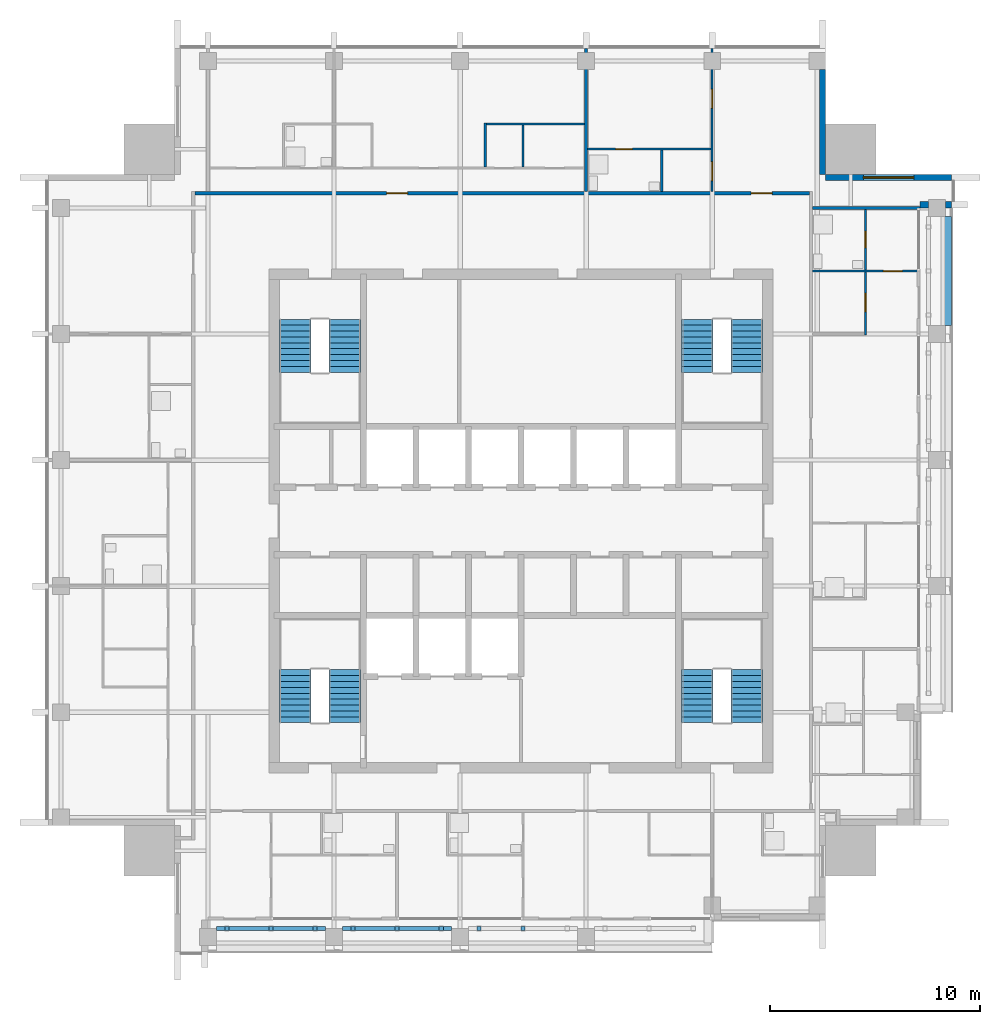
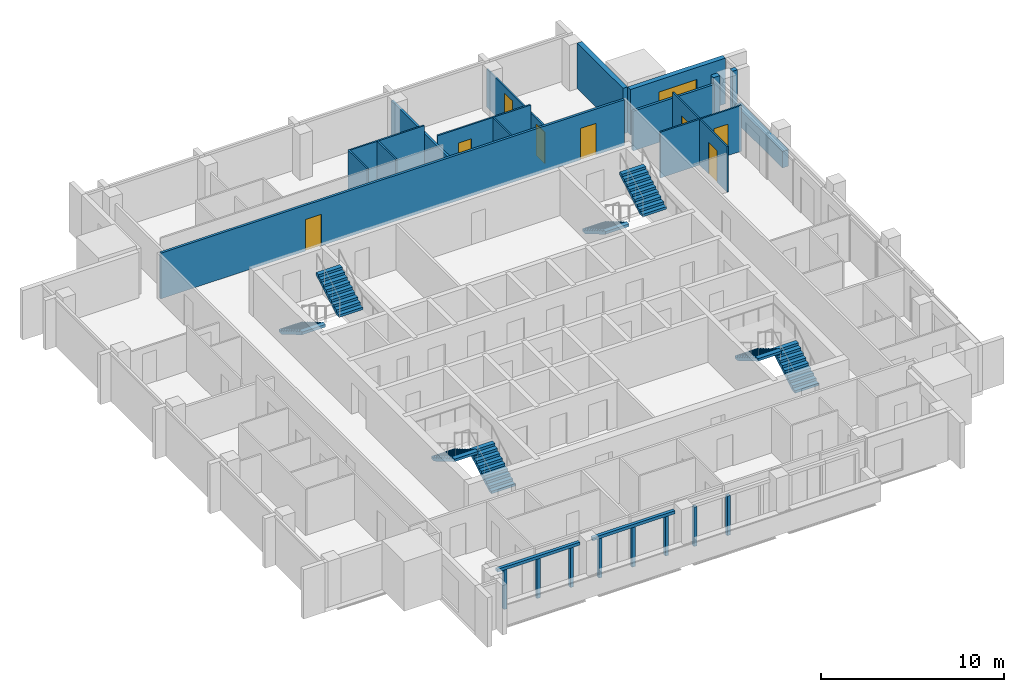
# One storey, part 11 of 15: 16 walls, 10 discrete accessories, 8 doors, 8 stair flights, 1 window, 9 openings, 4 elements without a shape of their own.
"""IFC4 building model written with IfcOpenShell, lengths in metres."""

from ifc_helpers import new_model, si_unit, direction, frame, frame_2d, origin, origin_2d, place, context, subcontext, project, spatial, polyline, rectangle, outline, extrude, material, layer, layer_set, type_object, element, fill, aggregate, save


model = new_model("IFC4")

# Units and contexts
model_context = context("Model", 3, precision=1e-05, world=origin(), true_north=direction((0.0, 1.0)))
body_context = subcontext(model_context, "Body", "Model", "MODEL_VIEW")
ifc_project = project(units=[si_unit("LENGTHUNIT", "METRE"), si_unit("AREAUNIT", "SQUARE_METRE"), si_unit("VOLUMEUNIT", "CUBIC_METRE"), si_unit("PLANEANGLEUNIT", "RADIAN"), si_unit("MASSUNIT", "GRAM", prefix="KILO")], contexts=[model_context])

# Site, building, storey
site_placement = place(None, origin())
site = spatial("IfcSite", under=ifc_project, at=site_placement, CompositionType="ELEMENT")
building_placement = place(site_placement, origin())
building = spatial("IfcBuilding", under=site, at=building_placement, Name="Amberfall Residences", CompositionType="ELEMENT")
storey_placement = place(building_placement, frame((0.0, 0.0, 268.60009765625)))
storey = spatial("IfcBuildingStorey", under=building, at=storey_placement, Name="L72", CompositionType="ELEMENT", Elevation=268.60009765625)

# Walls
ifc_material_1 = material(Name="Pale stone cladding on insulated backing", Category="masonry")
ifc_layer_1 = layer(ifc_material_1, 0.300048828125)
ifc_layer_set_1 = layer_set([ifc_layer_1], Name="Bronze clad wall 300")
wall_type_1 = type_object("IfcWallType", Name="Bronze clad wall 300", PredefinedType="SOLIDWALL", material=ifc_layer_set_1)
wall_1_placement = place(storey_placement, frame((93.5, 60.550048828125, 0.0), z_axis=(0.0, 0.0, 1.0), x_axis=(1.0, 0.0, 0.0)))
element("IfcWall", 1, at=wall_1_placement, inside=storey, type_object=wall_type_1, Name="External wall L72 E", PredefinedType="SOLIDWALL", context=body_context, shape_type="SweptSolid", body=[
    extrude(rectangle(XDim=0.39990234375, YDim=0.300048828125, at=frame_2d((0.199951171875, 0.0))), origin(), (0.0, 0.0, 1.0), 3.0498046875),
])
wall_2_placement = place(storey_placement, frame((94.699951171875, 60.550048828125, 0.0), z_axis=(0.0, 0.0, 1.0), x_axis=(1.0, 0.0, 0.0)))
element("IfcWall", 2, at=wall_2_placement, inside=storey, type_object=wall_type_1, Name="External wall L72 E", PredefinedType="SOLIDWALL", context=body_context, shape_type="SweptSolid", body=[
    extrude(rectangle(XDim=0.300048828125, YDim=0.300048828125, at=frame_2d((0.14990234375, 0.0))), origin(), (0.0, 0.0, 1.0), 3.0498046875),
])

# Wall, opening, window
wall_3_placement = place(storey_placement, frame((95.0, 61.85009765625, 0.0), z_axis=(0.0, 0.0, 1.0), x_axis=(-1.0, 0.0, 0.0)))
wall_3 = element("IfcWall", 3, at=wall_3_placement, inside=storey, type_object=wall_type_1, Name="External wall L72 NE", PredefinedType="SOLIDWALL", context=body_context, shape_type="SweptSolid", body=[
    extrude(rectangle(XDim=6.0, YDim=0.300048828125, at=frame_2d((3.0, 0.0))), origin(), (0.0, 0.0, 1.0), 3.0498046875),
])
opening_1_placement = place(wall_3_placement, frame((1.800048828125, 0.0, 0.14990234375)))
opening_1 = element("IfcOpeningElement", 4, at=opening_1_placement, cuts=wall_3, Name="Opening WN5", PredefinedType="OPENING", context=body_context, shape_type="SweptSolid", body=[
    extrude(rectangle(XDim=2.39990234375, YDim=2.10009765625, at=frame_2d((1.199951171875, 1.050048828125))), frame((0.0, 0.159912109375, 0.0), z_axis=(0.0, -1.0, 0.0), x_axis=(1.0, 0.0, 0.0)), (0.0, 0.0, 1.0), 0.320068359375),
])
ifc_material_2 = material(Name="Bronze aluminium framed glazing", Category="aluminium")
window_type = type_object("IfcWindowType", Name="Glazed opening 2400 x 2100 bronze", PartitioningType="DOUBLE_PANEL_VERTICAL", PredefinedType="WINDOW", material=ifc_material_2)
window_placement = place(opening_1_placement, origin())
window = element("IfcWindow", 5, at=window_placement, inside=storey, type_object=window_type, Name="Window L72 NE", OverallHeight=2.10009765625, OverallWidth=2.39990234375, PartitioningType="DOUBLE_PANEL_VERTICAL", PredefinedType="WINDOW", context=body_context, shape_type="SweptSolid", body=[
    extrude(rectangle(XDim=2.39990234375, YDim=2.10009765625, at=frame_2d((1.199951171875, 1.050048828125))), frame((0.0, 0.030029296875, 0.0), z_axis=(0.0, -1.0, 0.0), x_axis=(1.0, 0.0, 0.0)), (0.0, 0.0, 1.0), 0.06005859375),
])
fill(opening_1, window)

# Walls
wall_4_placement = place(storey_placement, frame((88.85009765625, 62.0, 0.0), z_axis=(0.0, 0.0, 1.0), x_axis=(0.0, 1.0, 0.0)))
element("IfcWall", 6, at=wall_4_placement, inside=storey, type_object=wall_type_1, Name="External wall L72 NE", PredefinedType="SOLIDWALL", context=body_context, shape_type="SweptSolid", body=[
    extrude(rectangle(XDim=5.0, YDim=0.300048828125, at=frame_2d((2.5, 0.0))), origin(), (0.0, 0.0, 1.0), 3.0498046875),
])
ifc_material_3 = material(Name="Gypsum board on metal stud")
ifc_layer_2 = layer(ifc_material_3, 0.10009765625)
ifc_layer_set_2 = layer_set([ifc_layer_2], Name="Flat partition 100")
wall_type_2 = type_object("IfcWallType", Name="Flat partition 100", PredefinedType="PARTITIONING", material=ifc_layer_set_2)
wall_5_placement = place(storey_placement, frame((72.800048828125, 62.35009765625, 0.0), z_axis=(0.0, 0.0, 1.0), x_axis=(0.0, 1.0, 0.0)))
element("IfcWall", 7, at=wall_5_placement, inside=storey, type_object=wall_type_2, Name="Partition 010", PredefinedType="PARTITIONING", context=body_context, shape_type="SweptSolid", body=[
    extrude(rectangle(XDim=2.099853515625, YDim=0.10009765625, at=frame_2d((1.0498046875, 0.0))), origin(), (0.0, 0.0, 1.0), 3.0498046875),
])
wall_6_placement = place(storey_placement, frame((74.60009765625, 62.35009765625, 0.0), z_axis=(0.0, 0.0, 1.0), x_axis=(0.0, 1.0, 0.0)))
element("IfcWall", 8, at=wall_6_placement, inside=storey, type_object=wall_type_2, Name="Partition 012", PredefinedType="PARTITIONING", context=body_context, shape_type="SweptSolid", body=[
    extrude(rectangle(XDim=2.0, YDim=0.10009765625, at=frame_2d((1.0, 0.0))), origin(), (0.0, 0.0, 1.0), 3.0498046875),
])
wall_7_placement = place(storey_placement, frame((81.199951171875, 61.175048828125, 0.0), z_axis=(0.0, 0.0, 1.0), x_axis=(0.0, 1.0, 0.0)))
element("IfcWall", 9, at=wall_7_placement, inside=storey, type_object=wall_type_2, Name="Partition 014", PredefinedType="PARTITIONING", context=body_context, shape_type="SweptSolid", body=[
    extrude(rectangle(XDim=1.974853515625, YDim=0.10009765625, at=frame_2d((0.9873046875, 0.0))), origin(), (0.0, 0.0, 1.0), 3.0498046875),
])

# Wall, openings, doors
wall_8_placement = place(storey_placement, frame((83.60009765625, 61.175048828125, 0.0), z_axis=(0.0, 0.0, 1.0), x_axis=(0.0, 1.0, 0.0)))
wall_8 = element("IfcWall", 10, at=wall_8_placement, inside=storey, type_object=wall_type_2, Name="Partition 016", PredefinedType="PARTITIONING", context=body_context, shape_type="SweptSolid", body=[
    extrude(rectangle(XDim=6.824951171875, YDim=0.10009765625, at=frame_2d((3.41259765625, 0.0))), origin(), (0.0, 0.0, 1.0), 2.515869140625),
])
opening_2_placement = place(wall_8_placement, frame((0.52490234375, 0.0, 0.0)))
opening_2 = element("IfcOpeningElement", 11, at=opening_2_placement, cuts=wall_8, Name="Opening D41", PredefinedType="OPENING", context=body_context, shape_type="SweptSolid", body=[
    extrude(rectangle(XDim=0.89990234375, YDim=2.10009765625, at=frame_2d((0.449951171875, 1.050048828125))), frame((0.0, 0.06005859375, 0.0), z_axis=(0.0, -1.0, 0.0), x_axis=(1.0, 0.0, 0.0)), (0.0, 0.0, 1.0), 0.1201171875),
])
opening_3_placement = place(wall_8_placement, frame((3.97509765625, 0.0, 0.0)))
opening_3 = element("IfcOpeningElement", 12, at=opening_3_placement, cuts=wall_8, Name="Opening D41", PredefinedType="OPENING", context=body_context, shape_type="SweptSolid", body=[
    extrude(rectangle(XDim=0.89990234375, YDim=2.10009765625, at=frame_2d((0.449951171875, 1.050048828125))), frame((0.0, 0.06005859375, 0.0), z_axis=(0.0, -1.0, 0.0), x_axis=(1.0, 0.0, 0.0)), (0.0, 0.0, 1.0), 0.1201171875),
])
ifc_material_4 = material(Name="Timber", Category="wood")
door_type_1 = type_object("IfcDoorType", Name="Internal door 900 x 2100", OperationType="SINGLE_SWING_LEFT", PredefinedType="DOOR", material=ifc_material_4)
door_1_placement = place(opening_2_placement, origin())
door_1 = element("IfcDoor", 13, at=door_1_placement, inside=storey, type_object=door_type_1, Name="Door 7206 kitchen", OperationType="SINGLE_SWING_LEFT", OverallHeight=2.10009765625, OverallWidth=0.89990234375, PredefinedType="DOOR", context=body_context, shape_type="SweptSolid", body=[
    extrude(rectangle(XDim=0.89990234375, YDim=2.10009765625, at=frame_2d((0.449951171875, 1.050048828125))), frame((0.0, 0.02490234375, 0.0), z_axis=(0.0, -1.0, 0.0), x_axis=(1.0, 0.0, 0.0)), (0.0, 0.0, 1.0), 0.050048828125),
])
fill(opening_2, door_1)
door_2_placement = place(opening_3_placement, origin())
door_2 = element("IfcDoor", 14, at=door_2_placement, inside=storey, type_object=door_type_1, Name="Door 7206 bedroom1", OperationType="SINGLE_SWING_LEFT", OverallHeight=2.10009765625, OverallWidth=0.89990234375, PredefinedType="DOOR", context=body_context, shape_type="SweptSolid", body=[
    extrude(rectangle(XDim=0.89990234375, YDim=2.10009765625, at=frame_2d((0.449951171875, 1.050048828125))), frame((0.0, 0.02490234375, 0.0), z_axis=(0.0, -1.0, 0.0), x_axis=(1.0, 0.0, 0.0)), (0.0, 0.0, 1.0), 0.050048828125),
])
fill(opening_3, door_2)

wall_9_placement = place(storey_placement, frame((90.89990234375, 54.35009765625, 0.0), z_axis=(0.0, 0.0, 1.0), x_axis=(0.0, 1.0, 0.0)))
wall_9 = element("IfcWall", 15, at=wall_9_placement, inside=storey, type_object=wall_type_2, Name="Partition 020", PredefinedType="PARTITIONING", context=body_context, shape_type="SweptSolid", body=[
    extrude(rectangle(XDim=5.974853515625, YDim=0.10009765625, at=frame_2d((2.9873046875, 0.0))), origin(), (0.0, 0.0, 1.0), 3.0498046875),
])
opening_4_placement = place(wall_9_placement, frame((1.10009765625, 0.0, 0.0)))
opening_4 = element("IfcOpeningElement", 16, at=opening_4_placement, cuts=wall_9, Name="Opening D41", PredefinedType="OPENING", context=body_context, shape_type="SweptSolid", body=[
    extrude(rectangle(XDim=0.89990234375, YDim=2.10009765625, at=frame_2d((0.449951171875, 1.050048828125))), frame((0.0, 0.06005859375, 0.0), z_axis=(0.0, -1.0, 0.0), x_axis=(1.0, 0.0, 0.0)), (0.0, 0.0, 1.0), 0.1201171875),
])
opening_5_placement = place(wall_9_placement, frame((4.14990234375, 0.0, 0.0)))
opening_5 = element("IfcOpeningElement", 17, at=opening_5_placement, cuts=wall_9, Name="Opening D42", PredefinedType="OPENING", context=body_context, shape_type="SweptSolid", body=[
    extrude(rectangle(XDim=0.800048828125, YDim=2.10009765625, at=frame_2d((0.39990234375, 1.050048828125))), frame((0.0, 0.06005859375, 0.0), z_axis=(0.0, -1.0, 0.0), x_axis=(1.0, 0.0, 0.0)), (0.0, 0.0, 1.0), 0.1201171875),
])
door_type_2 = type_object("IfcDoorType", Name="Bathroom door 800 x 2100", OperationType="SINGLE_SWING_LEFT", PredefinedType="DOOR", material=ifc_material_4)
door_3_placement = place(opening_5_placement, origin())
door_3 = element("IfcDoor", 18, at=door_3_placement, inside=storey, type_object=door_type_2, Name="Door 7204 bath2", OperationType="SINGLE_SWING_LEFT", OverallHeight=2.10009765625, OverallWidth=0.800048828125, PredefinedType="DOOR", context=body_context, shape_type="SweptSolid", body=[
    extrude(rectangle(XDim=0.800048828125, YDim=2.10009765625, at=frame_2d((0.39990234375, 1.050048828125))), frame((0.0, 0.02490234375, 0.0), z_axis=(0.0, -1.0, 0.0), x_axis=(1.0, 0.0, 0.0)), (0.0, 0.0, 1.0), 0.050048828125),
])
fill(opening_5, door_3)
door_4_placement = place(opening_4_placement, origin())
door_4 = element("IfcDoor", 19, at=door_4_placement, inside=storey, type_object=door_type_1, Name="Door 7204 kitchen", OperationType="SINGLE_SWING_LEFT", OverallHeight=2.10009765625, OverallWidth=0.89990234375, PredefinedType="DOOR", context=body_context, shape_type="SweptSolid", body=[
    extrude(rectangle(XDim=0.89990234375, YDim=2.10009765625, at=frame_2d((0.449951171875, 1.050048828125))), frame((0.0, 0.02490234375, 0.0), z_axis=(0.0, -1.0, 0.0), x_axis=(1.0, 0.0, 0.0)), (0.0, 0.0, 1.0), 0.050048828125),
])
fill(opening_4, door_4)

# Wall
wall_10_placement = place(storey_placement, frame((72.85009765625, 64.39990234375, 0.0), z_axis=(0.0, 0.0, 1.0), x_axis=(1.0, 0.0, 0.0)))
element("IfcWall", 20, at=wall_10_placement, inside=storey, type_object=wall_type_2, Name="Partition 022", PredefinedType="PARTITIONING", context=body_context, shape_type="SweptSolid", body=[
    extrude(rectangle(XDim=4.6748046875, YDim=0.10009765625, at=frame_2d((2.33740234375, 0.0))), origin(), (0.0, 0.0, 1.0), 3.0498046875),
])

# Wall, opening, door
wall_11_placement = place(storey_placement, frame((83.550048828125, 63.199951171875, 0.0), z_axis=(0.0, 0.0, 1.0), x_axis=(-1.0, 0.0, 0.0)))
wall_11 = element("IfcWall", 21, at=wall_11_placement, inside=storey, type_object=wall_type_2, Name="Partition 023", PredefinedType="PARTITIONING", context=body_context, shape_type="SweptSolid", body=[
    extrude(rectangle(XDim=5.875, YDim=0.10009765625, at=frame_2d((2.9375, 0.0))), origin(), (0.0, 0.0, 1.0), 3.0498046875),
])
opening_6_placement = place(wall_11_placement, frame((3.75, 0.0, 0.0)))
opening_6 = element("IfcOpeningElement", 22, at=opening_6_placement, cuts=wall_11, Name="Opening D42", PredefinedType="OPENING", context=body_context, shape_type="SweptSolid", body=[
    extrude(rectangle(XDim=0.800048828125, YDim=2.10009765625, at=frame_2d((0.39990234375, 1.050048828125))), frame((0.0, 0.06005859375, 0.0), z_axis=(0.0, -1.0, 0.0), x_axis=(1.0, 0.0, 0.0)), (0.0, 0.0, 1.0), 0.1201171875),
])
door_5_placement = place(opening_6_placement, origin())
door_5 = element("IfcDoor", 23, at=door_5_placement, inside=storey, type_object=door_type_2, Name="Door 7206 bath1", OperationType="SINGLE_SWING_LEFT", OverallHeight=2.10009765625, OverallWidth=0.800048828125, PredefinedType="DOOR", context=body_context, shape_type="SweptSolid", body=[
    extrude(rectangle(XDim=0.800048828125, YDim=2.10009765625, at=frame_2d((0.39990234375, 1.050048828125))), frame((0.0, 0.02490234375, 0.0), z_axis=(0.0, -1.0, 0.0), x_axis=(1.0, 0.0, 0.0)), (0.0, 0.0, 1.0), 0.050048828125),
])
fill(opening_6, door_5)

wall_12_placement = place(storey_placement, frame((88.375, 57.39990234375, 0.0), z_axis=(0.0, 0.0, 1.0), x_axis=(1.0, 0.0, 0.0)))
wall_12 = element("IfcWall", 24, at=wall_12_placement, inside=storey, type_object=wall_type_2, Name="Partition 025", PredefinedType="PARTITIONING", context=body_context, shape_type="SweptSolid", body=[
    extrude(rectangle(XDim=5.125, YDim=0.10009765625, at=frame_2d((2.5625, 0.0))), origin(), (0.0, 0.0, 1.0), 3.0498046875),
])
opening_7_placement = place(wall_12_placement, frame((3.375, 0.0, 0.0)))
opening_7 = element("IfcOpeningElement", 25, at=opening_7_placement, cuts=wall_12, Name="Opening D41", PredefinedType="OPENING", context=body_context, shape_type="SweptSolid", body=[
    extrude(rectangle(XDim=0.89990234375, YDim=2.10009765625, at=frame_2d((0.449951171875, 1.050048828125))), frame((0.0, 0.06005859375, 0.0), z_axis=(0.0, -1.0, 0.0), x_axis=(1.0, 0.0, 0.0)), (0.0, 0.0, 1.0), 0.1201171875),
])
door_6_placement = place(opening_7_placement, origin())
door_6 = element("IfcDoor", 26, at=door_6_placement, inside=storey, type_object=door_type_1, Name="Door 7204 bedroom2", OperationType="SINGLE_SWING_LEFT", OverallHeight=2.10009765625, OverallWidth=0.89990234375, PredefinedType="DOOR", context=body_context, shape_type="SweptSolid", body=[
    extrude(rectangle(XDim=0.89990234375, YDim=2.10009765625, at=frame_2d((0.449951171875, 1.050048828125))), frame((0.0, 0.02490234375, 0.0), z_axis=(0.0, -1.0, 0.0), x_axis=(1.0, 0.0, 0.0)), (0.0, 0.0, 1.0), 0.050048828125),
])
fill(opening_7, door_6)

# Wall
ifc_material_5 = material(Name="Blockwork, plastered", Category="masonry")
ifc_layer_3 = layer(ifc_material_5, 0.14990234375)
ifc_layer_set_3 = layer_set([ifc_layer_3], Name="Flat separating wall 150")
wall_type_3 = type_object("IfcWallType", Name="Flat separating wall 150", PredefinedType="PARTITIONING", material=ifc_layer_set_3)
wall_13_placement = place(storey_placement, frame((77.60009765625, 61.175048828125, 0.0), z_axis=(0.0, 0.0, 1.0), x_axis=(0.0, 1.0, 0.0)))
element("IfcWall", 27, at=wall_13_placement, inside=storey, type_object=wall_type_3, Name="Separating wall 045", PredefinedType="PARTITIONING", context=body_context, shape_type="SweptSolid", body=[
    extrude(rectangle(XDim=6.824951171875, YDim=0.14990234375, at=frame_2d((3.41259765625, 0.0))), origin(), (0.0, 0.0, 1.0), 2.515869140625),
])

# Wall, openings, doors
wall_14_placement = place(storey_placement, frame((58.97509765625, 61.10009765625, 0.0), z_axis=(0.0, 0.0, 1.0), x_axis=(1.0, 0.0, 0.0)))
wall_14 = element("IfcWall", 28, at=wall_14_placement, inside=storey, type_object=wall_type_3, Name="Separating wall 048", PredefinedType="PARTITIONING", context=body_context, shape_type="SweptSolid", body=[
    extrude(rectangle(XDim=29.25, YDim=0.14990234375, at=frame_2d((14.625, 0.0))), origin(), (0.0, 0.0, 1.0), 3.0498046875),
])
opening_8_placement = place(wall_14_placement, frame((9.125, 0.0, 0.0)))
opening_8 = element("IfcOpeningElement", 29, at=opening_8_placement, cuts=wall_14, Name="Opening D40", PredefinedType="OPENING", context=body_context, shape_type="SweptSolid", body=[
    extrude(rectangle(XDim=1.0, YDim=2.10009765625, at=frame_2d((0.5, 1.050048828125))), frame((0.0, 0.0849609375, 0.0), z_axis=(0.0, -1.0, 0.0), x_axis=(1.0, 0.0, 0.0)), (0.0, 0.0, 1.0), 0.169921875),
])
opening_9_placement = place(wall_14_placement, frame((26.47509765625, 0.0, 0.0)))
opening_9 = element("IfcOpeningElement", 30, at=opening_9_placement, cuts=wall_14, Name="Opening D40", PredefinedType="OPENING", context=body_context, shape_type="SweptSolid", body=[
    extrude(rectangle(XDim=1.0, YDim=2.10009765625, at=frame_2d((0.5, 1.050048828125))), frame((0.0, 0.0849609375, 0.0), z_axis=(0.0, -1.0, 0.0), x_axis=(1.0, 0.0, 0.0)), (0.0, 0.0, 1.0), 0.169921875),
])
ifc_material_6 = material(Name="Timber, fire-rated", Category="wood")
door_type_3 = type_object("IfcDoorType", Name="Flat entrance door FD60 1000 x 2100", OperationType="SINGLE_SWING_LEFT", PredefinedType="DOOR", material=ifc_material_6)
door_7_placement = place(opening_8_placement, origin())
door_7 = element("IfcDoor", 31, at=door_7_placement, inside=storey, type_object=door_type_3, Name="Door 7205 entrance", OperationType="SINGLE_SWING_LEFT", OverallHeight=2.10009765625, OverallWidth=1.0, PredefinedType="DOOR", context=body_context, shape_type="SweptSolid", body=[
    extrude(rectangle(XDim=1.0, YDim=2.10009765625, at=frame_2d((0.5, 1.050048828125))), frame((0.0, 0.02490234375, 0.0), z_axis=(0.0, -1.0, 0.0), x_axis=(1.0, 0.0, 0.0)), (0.0, 0.0, 1.0), 0.050048828125),
])
fill(opening_8, door_7)
door_8_placement = place(opening_9_placement, origin())
door_8 = element("IfcDoor", 32, at=door_8_placement, inside=storey, type_object=door_type_3, Name="Door 7206 entrance", OperationType="SINGLE_SWING_LEFT", OverallHeight=2.10009765625, OverallWidth=1.0, PredefinedType="DOOR", context=body_context, shape_type="SweptSolid", body=[
    extrude(rectangle(XDim=1.0, YDim=2.10009765625, at=frame_2d((0.5, 1.050048828125))), frame((0.0, 0.02490234375, 0.0), z_axis=(0.0, -1.0, 0.0), x_axis=(1.0, 0.0, 0.0)), (0.0, 0.0, 1.0), 0.050048828125),
])
fill(opening_9, door_8)

# Walls
wall_15_placement = place(storey_placement, frame((88.375, 60.39990234375, 0.0), z_axis=(0.0, 0.0, 1.0), x_axis=(1.0, 0.0, 0.0)))
element("IfcWall", 33, at=wall_15_placement, inside=storey, type_object=wall_type_3, Name="Separating wall 049", PredefinedType="PARTITIONING", context=body_context, shape_type="SweptSolid", body=[
    extrude(rectangle(XDim=5.125, YDim=0.14990234375, at=frame_2d((2.5625, 0.0))), origin(), (0.0, 0.0, 1.0), 2.64697265625),
])
ifc_material_7 = material(Name="Pale stone faced Concrete C40", Category="masonry")
ifc_layer_4 = layer(ifc_material_7, 0.39990234375)
ifc_layer_set_4 = layer_set([ifc_layer_4], Name="Terrace parapet wall 400")
wall_type_4 = type_object("IfcWallType", Name="Terrace parapet wall 400", PredefinedType="PARAPET", material=ifc_layer_set_4)
wall_16_placement = place(storey_placement, frame((94.800048828125, 54.800048828125, 0.02978515625), z_axis=(0.0, 0.0, 1.0), x_axis=(0.0, 1.0, 0.0)))
element("IfcWall", 34, at=wall_16_placement, inside=storey, type_object=wall_type_4, Name="Terrace parapet L72 E5", PredefinedType="PARAPET", context=body_context, shape_type="SweptSolid", body=[
    extrude(rectangle(XDim=5.199951171875, YDim=0.39990234375, at=frame_2d((2.60009765625, 0.0))), origin(), (0.0, 0.0, 1.0), 1.10009765625),
])

# Stair, stair flights
ifc_material_8 = material(Name="Concrete C40", Category="concrete")
stair_type = type_object("IfcStairType", Name="Exit stair 20 risers 165.0 mm", PredefinedType="HALF_TURN_STAIR", material=ifc_material_8)
stair_1_placement = place(storey_placement, origin())
stair_1 = element("IfcStair", 35, at=stair_1_placement, inside=storey, type_object=stair_type, Name="L72 Exit stair 1", PredefinedType="HALF_TURN_STAIR")
stair_flight_type = type_object("IfcStairFlightType", Name="Stair flight 10 risers 165.0 mm", PredefinedType="STRAIGHT", material=ifc_material_8)
stair_flight_1_placement = place(storey_placement, frame((66.10009765625, 35.89990234375, 0.0), z_axis=(0.0, 0.0, 1.0), x_axis=(0.0, 1.0, 0.0)))
stair_flight_1 = element("IfcStairFlight", 36, at=stair_flight_1_placement, type_object=stair_flight_type, Name="ST3 flight 1", NumberOfRisers=10, NumberOfTreads=9, PredefinedType="STRAIGHT", RiserHeight=0.165, TreadLength=0.28, context=body_context, shape_type="SweptSolid", body=[
    extrude(outline(polyline([(0.0, 0.0), (0.0, 0.1650390625), (0.280029296875, 0.1650390625), (0.280029296875, 0.330078125), (0.56005859375, 0.330078125), (0.56005859375, 0.4951171875), (0.840087890625, 0.4951171875), (0.840087890625, 0.659912109375), (1.1201171875, 0.659912109375), (1.1201171875, 0.824951171875), (1.39990234375, 0.824951171875), (1.39990234375, 0.989990234375), (1.679931640625, 0.989990234375), (1.679931640625, 1.155029296875), (1.9599609375, 1.155029296875), (1.9599609375, 1.320068359375), (2.239990234375, 1.320068359375), (2.239990234375, 1.485107421875), (2.52001953125, 1.485107421875), (2.52001953125, 1.64990234375), (2.52001953125, 1.31103515625), (0.295166015625, 0.0), (0.0, 0.0)])), frame((0.0, 0.75, 0.0), z_axis=(0.0, -1.0, 0.0), x_axis=(1.0, 0.0, 0.0)), (0.0, 0.0, 1.0), 1.5),
])
stair_flight_2_placement = place(storey_placement, frame((63.75, 38.419921875, 1.64990234375), z_axis=(0.0, 0.0, 1.0), x_axis=(0.0, -1.0, 0.0)))
stair_flight_2 = element("IfcStairFlight", 37, at=stair_flight_2_placement, type_object=stair_flight_type, Name="ST3 flight 2", NumberOfRisers=10, NumberOfTreads=9, PredefinedType="STRAIGHT", RiserHeight=0.165, TreadLength=0.28, context=body_context, shape_type="SweptSolid", body=[
    extrude(outline(polyline([(0.0, 0.0), (0.0, 0.1650390625), (0.280029296875, 0.1650390625), (0.280029296875, 0.330078125), (0.56005859375, 0.330078125), (0.56005859375, 0.4951171875), (0.840087890625, 0.4951171875), (0.840087890625, 0.659912109375), (1.1201171875, 0.659912109375), (1.1201171875, 0.824951171875), (1.39990234375, 0.824951171875), (1.39990234375, 0.989990234375), (1.679931640625, 0.989990234375), (1.679931640625, 1.155029296875), (1.9599609375, 1.155029296875), (1.9599609375, 1.320068359375), (2.239990234375, 1.320068359375), (2.239990234375, 1.485107421875), (2.52001953125, 1.485107421875), (2.52001953125, 1.64990234375), (2.52001953125, 1.31103515625), (0.295166015625, 0.0), (0.0, 0.0)])), frame((0.0, 0.75, 0.0), z_axis=(0.0, -1.0, 0.0), x_axis=(1.0, 0.0, 0.0)), (0.0, 0.0, 1.0), 1.5),
])
aggregate(stair_1, [stair_flight_1, stair_flight_2])

stair_2_placement = place(storey_placement, origin())
stair_2 = element("IfcStair", 38, at=stair_2_placement, inside=storey, type_object=stair_type, Name="L72 Exit stair 2", PredefinedType="HALF_TURN_STAIR")
stair_flight_3_placement = place(storey_placement, frame((85.25, 35.89990234375, 0.0), z_axis=(0.0, 0.0, 1.0), x_axis=(0.0, 1.0, 0.0)))
stair_flight_3 = element("IfcStairFlight", 39, at=stair_flight_3_placement, type_object=stair_flight_type, Name="ST3 flight 1", NumberOfRisers=10, NumberOfTreads=9, PredefinedType="STRAIGHT", RiserHeight=0.165, TreadLength=0.28, context=body_context, shape_type="SweptSolid", body=[
    extrude(outline(polyline([(0.0, 0.0), (0.0, 0.1650390625), (0.280029296875, 0.1650390625), (0.280029296875, 0.330078125), (0.56005859375, 0.330078125), (0.56005859375, 0.4951171875), (0.840087890625, 0.4951171875), (0.840087890625, 0.659912109375), (1.1201171875, 0.659912109375), (1.1201171875, 0.824951171875), (1.39990234375, 0.824951171875), (1.39990234375, 0.989990234375), (1.679931640625, 0.989990234375), (1.679931640625, 1.155029296875), (1.9599609375, 1.155029296875), (1.9599609375, 1.320068359375), (2.239990234375, 1.320068359375), (2.239990234375, 1.485107421875), (2.52001953125, 1.485107421875), (2.52001953125, 1.64990234375), (2.52001953125, 1.31103515625), (0.295166015625, 0.0), (0.0, 0.0)])), frame((0.0, 0.75, 0.0), z_axis=(0.0, -1.0, 0.0), x_axis=(1.0, 0.0, 0.0)), (0.0, 0.0, 1.0), 1.5),
])
stair_flight_4_placement = place(storey_placement, frame((82.89990234375, 38.419921875, 1.64990234375), z_axis=(0.0, 0.0, 1.0), x_axis=(0.0, -1.0, 0.0)))
stair_flight_4 = element("IfcStairFlight", 40, at=stair_flight_4_placement, type_object=stair_flight_type, Name="ST3 flight 2", NumberOfRisers=10, NumberOfTreads=9, PredefinedType="STRAIGHT", RiserHeight=0.165, TreadLength=0.28, context=body_context, shape_type="SweptSolid", body=[
    extrude(outline(polyline([(0.0, 0.0), (0.0, 0.1650390625), (0.280029296875, 0.1650390625), (0.280029296875, 0.330078125), (0.56005859375, 0.330078125), (0.56005859375, 0.4951171875), (0.840087890625, 0.4951171875), (0.840087890625, 0.659912109375), (1.1201171875, 0.659912109375), (1.1201171875, 0.824951171875), (1.39990234375, 0.824951171875), (1.39990234375, 0.989990234375), (1.679931640625, 0.989990234375), (1.679931640625, 1.155029296875), (1.9599609375, 1.155029296875), (1.9599609375, 1.320068359375), (2.239990234375, 1.320068359375), (2.239990234375, 1.485107421875), (2.52001953125, 1.485107421875), (2.52001953125, 1.64990234375), (2.52001953125, 1.31103515625), (0.295166015625, 0.0), (0.0, 0.0)])), frame((0.0, 0.75, 0.0), z_axis=(0.0, -1.0, 0.0), x_axis=(1.0, 0.0, 0.0)), (0.0, 0.0, 1.0), 1.5),
])
aggregate(stair_2, [stair_flight_3, stair_flight_4])

stair_3_placement = place(storey_placement, origin())
stair_3 = element("IfcStair", 41, at=stair_3_placement, inside=storey, type_object=stair_type, Name="L72 Exit stair 3", PredefinedType="HALF_TURN_STAIR")
stair_flight_5_placement = place(storey_placement, frame((82.89990234375, 55.10009765625, 0.0), z_axis=(0.0, 0.0, 1.0), x_axis=(0.0, -1.0, 0.0)))
stair_flight_5 = element("IfcStairFlight", 42, at=stair_flight_5_placement, type_object=stair_flight_type, Name="ST3 flight 1", NumberOfRisers=10, NumberOfTreads=9, PredefinedType="STRAIGHT", RiserHeight=0.165, TreadLength=0.28, context=body_context, shape_type="SweptSolid", body=[
    extrude(outline(polyline([(0.0, 0.0), (0.0, 0.1650390625), (0.280029296875, 0.1650390625), (0.280029296875, 0.330078125), (0.56005859375, 0.330078125), (0.56005859375, 0.4951171875), (0.840087890625, 0.4951171875), (0.840087890625, 0.659912109375), (1.1201171875, 0.659912109375), (1.1201171875, 0.824951171875), (1.39990234375, 0.824951171875), (1.39990234375, 0.989990234375), (1.679931640625, 0.989990234375), (1.679931640625, 1.155029296875), (1.9599609375, 1.155029296875), (1.9599609375, 1.320068359375), (2.239990234375, 1.320068359375), (2.239990234375, 1.485107421875), (2.52001953125, 1.485107421875), (2.52001953125, 1.64990234375), (2.52001953125, 1.31103515625), (0.295166015625, 0.0), (0.0, 0.0)])), frame((0.0, 0.75, 0.0), z_axis=(0.0, -1.0, 0.0), x_axis=(1.0, 0.0, 0.0)), (0.0, 0.0, 1.0), 1.5),
])
stair_flight_6_placement = place(storey_placement, frame((85.25, 52.580078125, 1.64990234375), z_axis=(0.0, 0.0, 1.0), x_axis=(0.0, 1.0, 0.0)))
stair_flight_6 = element("IfcStairFlight", 43, at=stair_flight_6_placement, type_object=stair_flight_type, Name="ST3 flight 2", NumberOfRisers=10, NumberOfTreads=9, PredefinedType="STRAIGHT", RiserHeight=0.165, TreadLength=0.28, context=body_context, shape_type="SweptSolid", body=[
    extrude(outline(polyline([(0.0, 0.0), (0.0, 0.1650390625), (0.280029296875, 0.1650390625), (0.280029296875, 0.330078125), (0.56005859375, 0.330078125), (0.56005859375, 0.4951171875), (0.840087890625, 0.4951171875), (0.840087890625, 0.659912109375), (1.1201171875, 0.659912109375), (1.1201171875, 0.824951171875), (1.39990234375, 0.824951171875), (1.39990234375, 0.989990234375), (1.679931640625, 0.989990234375), (1.679931640625, 1.155029296875), (1.9599609375, 1.155029296875), (1.9599609375, 1.320068359375), (2.239990234375, 1.320068359375), (2.239990234375, 1.485107421875), (2.52001953125, 1.485107421875), (2.52001953125, 1.64990234375), (2.52001953125, 1.31103515625), (0.295166015625, 0.0), (0.0, 0.0)])), frame((0.0, 0.75, 0.0), z_axis=(0.0, -1.0, 0.0), x_axis=(1.0, 0.0, 0.0)), (0.0, 0.0, 1.0), 1.5),
])
aggregate(stair_3, [stair_flight_5, stair_flight_6])

stair_4_placement = place(storey_placement, origin())
stair_4 = element("IfcStair", 44, at=stair_4_placement, inside=storey, type_object=stair_type, Name="L72 Exit stair 4", PredefinedType="HALF_TURN_STAIR")
stair_flight_7_placement = place(storey_placement, frame((63.75, 55.10009765625, 0.0), z_axis=(0.0, 0.0, 1.0), x_axis=(0.0, -1.0, 0.0)))
stair_flight_7 = element("IfcStairFlight", 45, at=stair_flight_7_placement, type_object=stair_flight_type, Name="ST3 flight 1", NumberOfRisers=10, NumberOfTreads=9, PredefinedType="STRAIGHT", RiserHeight=0.165, TreadLength=0.28, context=body_context, shape_type="SweptSolid", body=[
    extrude(outline(polyline([(0.0, 0.0), (0.0, 0.1650390625), (0.280029296875, 0.1650390625), (0.280029296875, 0.330078125), (0.56005859375, 0.330078125), (0.56005859375, 0.4951171875), (0.840087890625, 0.4951171875), (0.840087890625, 0.659912109375), (1.1201171875, 0.659912109375), (1.1201171875, 0.824951171875), (1.39990234375, 0.824951171875), (1.39990234375, 0.989990234375), (1.679931640625, 0.989990234375), (1.679931640625, 1.155029296875), (1.9599609375, 1.155029296875), (1.9599609375, 1.320068359375), (2.239990234375, 1.320068359375), (2.239990234375, 1.485107421875), (2.52001953125, 1.485107421875), (2.52001953125, 1.64990234375), (2.52001953125, 1.31103515625), (0.295166015625, 0.0), (0.0, 0.0)])), frame((0.0, 0.75, 0.0), z_axis=(0.0, -1.0, 0.0), x_axis=(1.0, 0.0, 0.0)), (0.0, 0.0, 1.0), 1.5),
])
stair_flight_8_placement = place(storey_placement, frame((66.10009765625, 52.580078125, 1.64990234375), z_axis=(0.0, 0.0, 1.0), x_axis=(0.0, 1.0, 0.0)))
stair_flight_8 = element("IfcStairFlight", 46, at=stair_flight_8_placement, type_object=stair_flight_type, Name="ST3 flight 2", NumberOfRisers=10, NumberOfTreads=9, PredefinedType="STRAIGHT", RiserHeight=0.165, TreadLength=0.28, context=body_context, shape_type="SweptSolid", body=[
    extrude(outline(polyline([(0.0, 0.0), (0.0, 0.1650390625), (0.280029296875, 0.1650390625), (0.280029296875, 0.330078125), (0.56005859375, 0.330078125), (0.56005859375, 0.4951171875), (0.840087890625, 0.4951171875), (0.840087890625, 0.659912109375), (1.1201171875, 0.659912109375), (1.1201171875, 0.824951171875), (1.39990234375, 0.824951171875), (1.39990234375, 0.989990234375), (1.679931640625, 0.989990234375), (1.679931640625, 1.155029296875), (1.9599609375, 1.155029296875), (1.9599609375, 1.320068359375), (2.239990234375, 1.320068359375), (2.239990234375, 1.485107421875), (2.52001953125, 1.485107421875), (2.52001953125, 1.64990234375), (2.52001953125, 1.31103515625), (0.295166015625, 0.0), (0.0, 0.0)])), frame((0.0, 0.75, 0.0), z_axis=(0.0, -1.0, 0.0), x_axis=(1.0, 0.0, 0.0)), (0.0, 0.0, 1.0), 1.5),
])
aggregate(stair_4, [stair_flight_7, stair_flight_8])

# Discrete accessories
for number, where, z_axis, x_axis, name in (
    (47, (60.5, 26.10009765625, 0.0), (0.0, 0.0, 1.0), (1.0, 0.0, 0.0), "Trellis post L72 S1.1"),
    (48, (62.60009765625, 26.10009765625, 0.0), (0.0, 0.0, 1.0), (1.0, 0.0, 0.0), "Trellis post L72 S1.2"),
    (49, (64.699951171875, 26.10009765625, 0.0), (0.0, 0.0, 1.0), (1.0, 0.0, 0.0), "Trellis post L72 S1.3"),
):
    element("IfcDiscreteAccessory", number, at=place(storey_placement, frame(where, z_axis=z_axis, x_axis=x_axis)), inside=storey, Name=name, ObjectType="TRELLIS POST", PredefinedType="USERDEFINED", context=body_context, shape_type="SweptSolid", body=[
        extrude(rectangle(XDim=0.199951171875, YDim=0.199951171875, at=origin_2d()), origin(), (0.0, 0.0, 1.0), 2.6298828125),
    ])
discrete_accessory_1_placement = place(storey_placement, frame((62.60009765625, 26.10009765625, 2.6298828125), z_axis=(0.0, 0.0, 1.0), x_axis=(1.0, 0.0, 0.0)))
element("IfcDiscreteAccessory", 50, at=discrete_accessory_1_placement, inside=storey, Name="Trellis beam L72 S1.e1", ObjectType="TRELLIS BEAM", PredefinedType="USERDEFINED", context=body_context, shape_type="SweptSolid", body=[
    extrude(rectangle(XDim=5.199951171875, YDim=0.199951171875, at=origin_2d()), origin(), (0.0, 0.0, 1.0), 0.199951171875),
])
for number, where, z_axis, x_axis, name in (
    (51, (66.5, 26.10009765625, 0.0), (0.0, 0.0, 1.0), (1.0, 0.0, 0.0), "Trellis post L72 S2.1"),
    (52, (68.60009765625, 26.10009765625, 0.0), (0.0, 0.0, 1.0), (1.0, 0.0, 0.0), "Trellis post L72 S2.2"),
    (53, (70.699951171875, 26.10009765625, 0.0), (0.0, 0.0, 1.0), (1.0, 0.0, 0.0), "Trellis post L72 S2.3"),
):
    element("IfcDiscreteAccessory", number, at=place(storey_placement, frame(where, z_axis=z_axis, x_axis=x_axis)), inside=storey, Name=name, ObjectType="TRELLIS POST", PredefinedType="USERDEFINED", context=body_context, shape_type="SweptSolid", body=[
        extrude(rectangle(XDim=0.199951171875, YDim=0.199951171875, at=origin_2d()), origin(), (0.0, 0.0, 1.0), 2.6298828125),
    ])
discrete_accessory_2_placement = place(storey_placement, frame((68.60009765625, 26.10009765625, 2.6298828125), z_axis=(0.0, 0.0, 1.0), x_axis=(1.0, 0.0, 0.0)))
element("IfcDiscreteAccessory", 54, at=discrete_accessory_2_placement, inside=storey, Name="Trellis beam L72 S2.e1", ObjectType="TRELLIS BEAM", PredefinedType="USERDEFINED", context=body_context, shape_type="SweptSolid", body=[
    extrude(rectangle(XDim=5.199951171875, YDim=0.199951171875, at=origin_2d()), origin(), (0.0, 0.0, 1.0), 0.199951171875),
])
for number, where, z_axis, x_axis, name in (
    (55, (72.5, 26.10009765625, 0.0), (0.0, 0.0, 1.0), (1.0, 0.0, 0.0), "Trellis post L72 S3.1"),
    (56, (74.60009765625, 26.10009765625, 0.0), (0.0, 0.0, 1.0), (1.0, 0.0, 0.0), "Trellis post L72 S3.2"),
):
    element("IfcDiscreteAccessory", number, at=place(storey_placement, frame(where, z_axis=z_axis, x_axis=x_axis)), inside=storey, Name=name, ObjectType="TRELLIS POST", PredefinedType="USERDEFINED", context=body_context, shape_type="SweptSolid", body=[
        extrude(rectangle(XDim=0.199951171875, YDim=0.199951171875, at=origin_2d()), origin(), (0.0, 0.0, 1.0), 2.6298828125),
    ])

save(model, "model.ifc")
